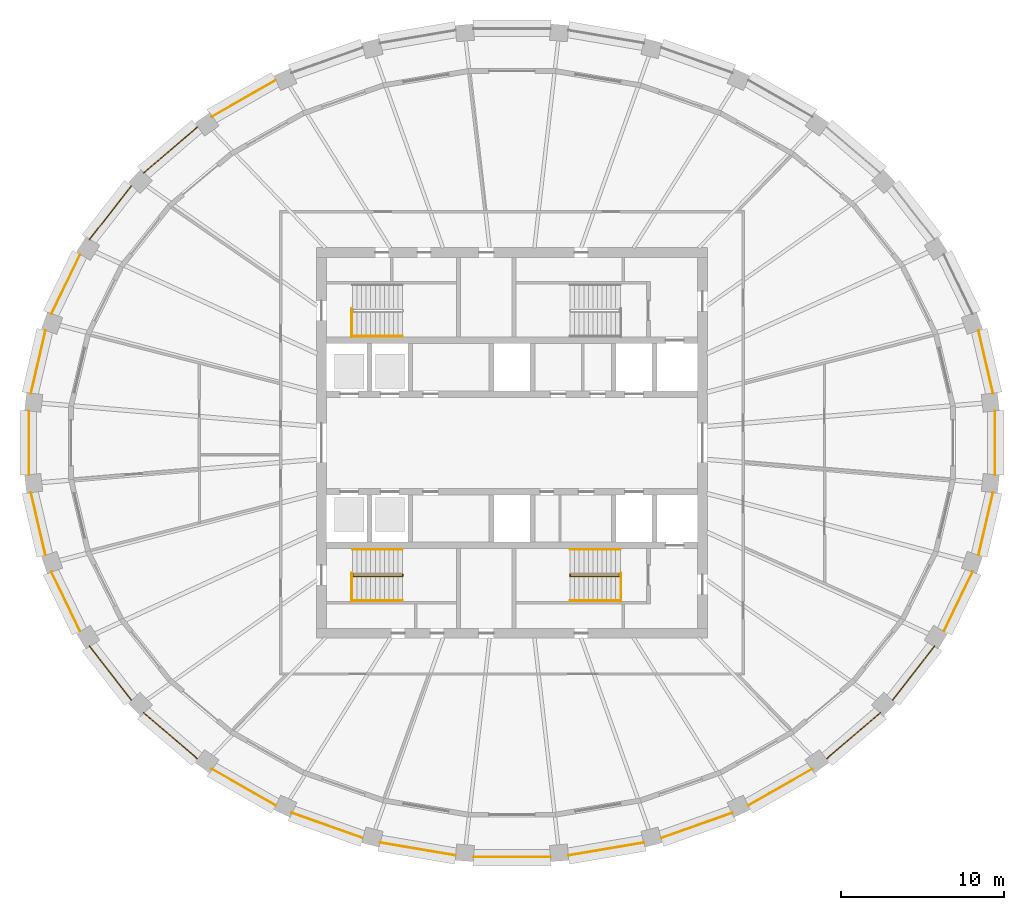
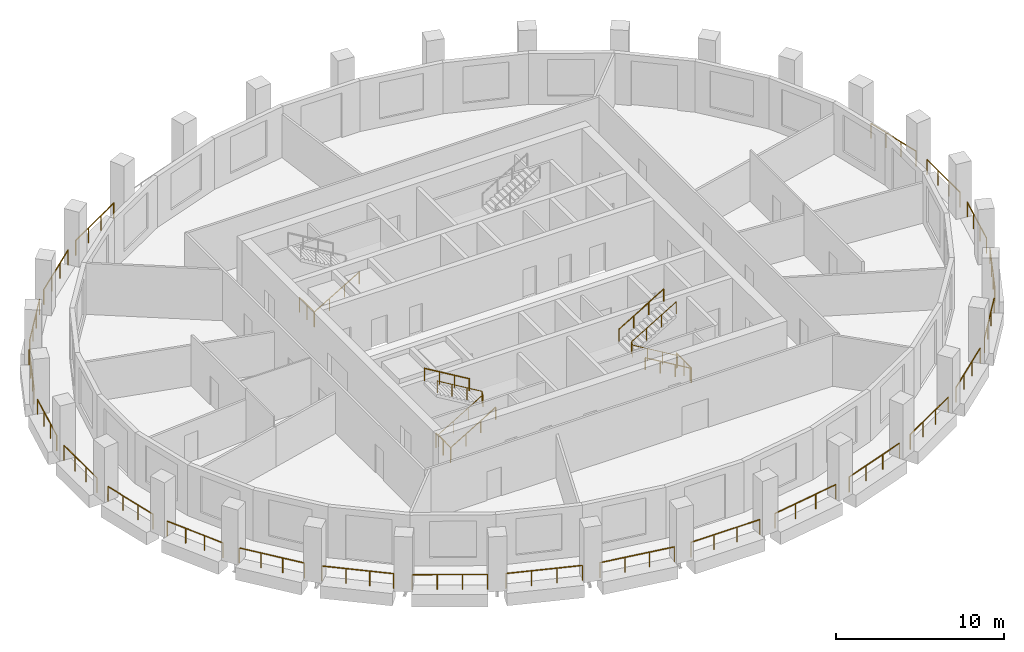
# One storey, part 8 of 10: 33 railings.
"""IFC4 building model written with IfcOpenShell, lengths in metres."""

from ifc_helpers import new_model, si_unit, direction, frame, origin, origin_2d, place, context, subcontext, project, spatial, circle, extrude, material, type_object, element, save


model = new_model("IFC4")

# Units and contexts
model_context = context("Model", 3, precision=1e-05, world=origin(), true_north=direction((0.0, 1.0)))
body_context = subcontext(model_context, "Body", "Model", "MODEL_VIEW")
ifc_project = project(units=[si_unit("LENGTHUNIT", "METRE"), si_unit("AREAUNIT", "SQUARE_METRE"), si_unit("VOLUMEUNIT", "CUBIC_METRE"), si_unit("PLANEANGLEUNIT", "RADIAN"), si_unit("MASSUNIT", "GRAM", prefix="KILO")], contexts=[model_context])

# Site, building, storey
site_placement = place(None, origin())
site = spatial("IfcSite", under=ifc_project, at=site_placement, CompositionType="ELEMENT")
building_placement = place(site_placement, origin())
building = spatial("IfcBuilding", under=site, at=building_placement, Name="Halqa Exchange Tower", CompositionType="ELEMENT")
storey_placement = place(building_placement, frame((0.0, 0.0, 276.300048828125)))
storey = spatial("IfcBuildingStorey", under=building, at=storey_placement, Name="L64", CompositionType="ELEMENT", Elevation=276.300048828125)

# Railings
ifc_material = material(Name="Stainless steel", Category="steel")
railing_type_1 = type_object("IfcRailingType", Name="Guard 1100 stainless steel", PredefinedType="GUARDRAIL", material=ifc_material)
railing_1_placement = place(storey_placement, frame((29.553466796875, 3.041259765625, 0.0)))
element("IfcRailing", 1, at=railing_1_placement, inside=storey, type_object=railing_type_1, Name="Loggia guard 1", PredefinedType="GUARDRAIL", context=body_context, shape_type="SweptSolid", body=[
    extrude(circle(Radius=0.02392578125, at=origin_2d()), frame((0.0, 0.0, 1.076171875), z_axis=(-0.226061550198, 0.974113019892, 0.0), x_axis=(-0.974113019892, -0.226061550198, 0.0)), (0.0, 0.0, 1.0), 3.945068359375),
    extrude(circle(Radius=0.02099609375, at=origin_2d()), origin(), (0.0, 0.0, 1.0), 1.052001953125),
    extrude(circle(Radius=0.02099609375, at=origin_2d()), frame((-0.29736328125, 1.281005859375, 0.0)), (0.0, 0.0, 1.0), 1.052001953125),
    extrude(circle(Radius=0.02099609375, at=origin_2d()), frame((-0.594482421875, 2.56201171875, 0.0)), (0.0, 0.0, 1.0), 1.052001953125),
    extrude(circle(Radius=0.02099609375, at=origin_2d()), frame((-0.891845703125, 3.843017578125, 0.0)), (0.0, 0.0, 1.0), 1.052001953125),
])
railing_2_placement = place(storey_placement, frame((-14.534912109375, 22.26953125, 0.0)))
element("IfcRailing", 2, at=railing_2_placement, inside=storey, type_object=railing_type_1, Name="Loggia guard 11", PredefinedType="GUARDRAIL", context=body_context, shape_type="SweptSolid", body=[
    extrude(circle(Radius=0.02392578125, at=origin_2d()), frame((0.0, 0.0, 1.076171875), z_axis=(-0.867772152033, -0.496962264318, 0.0), x_axis=(0.496962264318, -0.867772152033, 0.0)), (0.0, 0.0, 1.0), 4.50146484375),
    extrude(circle(Radius=0.02099609375, at=origin_2d()), origin(), (0.0, 0.0, 1.0), 1.052001953125),
    extrude(circle(Radius=0.02099609375, at=origin_2d()), frame((-1.302001953125, -0.74560546875, 0.0)), (0.0, 0.0, 1.0), 1.052001953125),
    extrude(circle(Radius=0.02099609375, at=origin_2d()), frame((-2.604248046875, -1.491455078125, 0.0)), (0.0, 0.0, 1.0), 1.052001953125),
    extrude(circle(Radius=0.02099609375, at=origin_2d()), frame((-3.90625, -2.237060546875, 0.0)), (0.0, 0.0, 1.0), 1.052001953125),
])
railing_3_placement = place(storey_placement, frame((-19.336181640625, 19.401123046875, 0.0)))
element("IfcRailing", 3, at=railing_3_placement, inside=storey, type_object=railing_type_1, Name="Loggia guard 12", PredefinedType="GUARDRAIL", context=body_context, shape_type="SweptSolid", body=[
    extrude(circle(Radius=0.02392578125, at=origin_2d()), frame((0.0, 0.0, 1.076171875), z_axis=(-0.759228833475, -0.650823769095, 0.0), x_axis=(0.650823769095, -0.759228833475, 0.0)), (0.0, 0.0, 1.0), 4.34423828125),
    extrude(circle(Radius=0.02099609375, at=origin_2d()), origin(), (0.0, 0.0, 1.0), 1.052001953125),
    extrude(circle(Radius=0.02099609375, at=origin_2d()), frame((-1.099365234375, -0.9423828125, 0.0)), (0.0, 0.0, 1.0), 1.052001953125),
    extrude(circle(Radius=0.02099609375, at=origin_2d()), frame((-2.198974609375, -1.885009765625, 0.0)), (0.0, 0.0, 1.0), 1.052001953125),
    extrude(circle(Radius=0.02099609375, at=origin_2d()), frame((-3.29833984375, -2.827392578125, 0.0)), (0.0, 0.0, 1.0), 1.052001953125),
])
railing_4_placement = place(storey_placement, frame((-23.390380859375, 15.781982421875, 0.0)))
element("IfcRailing", 4, at=railing_4_placement, inside=storey, type_object=railing_type_1, Name="Loggia guard 13", PredefinedType="GUARDRAIL", context=body_context, shape_type="SweptSolid", body=[
    extrude(circle(Radius=0.02392578125, at=origin_2d()), frame((0.0, 0.0, 1.076171875), z_axis=(-0.614829270223, -0.788660236399, 0.0), x_axis=(0.788660236399, -0.614829270223, 0.0)), (0.0, 0.0, 1.0), 4.1826171875),
    extrude(circle(Radius=0.02099609375, at=origin_2d()), origin(), (0.0, 0.0, 1.0), 1.052001953125),
    extrude(circle(Radius=0.02099609375, at=origin_2d()), frame((-0.857177734375, -1.099609375, 0.0)), (0.0, 0.0, 1.0), 1.052001953125),
    extrude(circle(Radius=0.02099609375, at=origin_2d()), frame((-1.71435546875, -2.198974609375, 0.0)), (0.0, 0.0, 1.0), 1.052001953125),
    extrude(circle(Radius=0.02099609375, at=origin_2d()), frame((-2.571533203125, -3.298583984375, 0.0)), (0.0, 0.0, 1.0), 1.052001953125),
])
railing_5_placement = place(storey_placement, frame((-26.539306640625, 11.55419921875, 0.0)))
element("IfcRailing", 5, at=railing_5_placement, inside=storey, type_object=railing_type_1, Name="Loggia guard 14", PredefinedType="GUARDRAIL", context=body_context, shape_type="SweptSolid", body=[
    extrude(circle(Radius=0.02392578125, at=origin_2d()), frame((0.0, 0.0, 1.076171875), z_axis=(-0.435164579971, -0.900350925106, 0.0), x_axis=(0.900350925106, -0.435164579971, 0.0)), (0.0, 0.0, 1.0), 4.041748046875),
    extrude(circle(Radius=0.02099609375, at=origin_2d()), origin(), (0.0, 0.0, 1.0), 1.052001953125),
    extrude(circle(Radius=0.02099609375, at=origin_2d()), frame((-0.586181640625, -1.212890625, 0.0)), (0.0, 0.0, 1.0), 1.052001953125),
    extrude(circle(Radius=0.02099609375, at=origin_2d()), frame((-1.172607421875, -2.426025390625, 0.0)), (0.0, 0.0, 1.0), 1.052001953125),
    extrude(circle(Radius=0.02099609375, at=origin_2d()), frame((-1.7587890625, -3.638916015625, 0.0)), (0.0, 0.0, 1.0), 1.052001953125),
])
railing_6_placement = place(storey_placement, frame((-28.66162109375, 6.88427734375, 0.0)))
element("IfcRailing", 6, at=railing_6_placement, inside=storey, type_object=railing_type_1, Name="Loggia guard 15", PredefinedType="GUARDRAIL", context=body_context, shape_type="SweptSolid", body=[
    extrude(circle(Radius=0.02392578125, at=origin_2d()), frame((0.0, 0.0, 1.076171875), z_axis=(-0.226061550198, -0.974113019892, 0.0), x_axis=(0.974113019892, -0.226061550198, 0.0)), (0.0, 0.0, 1.0), 3.945068359375),
    extrude(circle(Radius=0.02099609375, at=origin_2d()), origin(), (0.0, 0.0, 1.0), 1.052001953125),
    extrude(circle(Radius=0.02099609375, at=origin_2d()), frame((-0.29736328125, -1.281005859375, 0.0)), (0.0, 0.0, 1.0), 1.052001953125),
    extrude(circle(Radius=0.02099609375, at=origin_2d()), frame((-0.594482421875, -2.56201171875, 0.0)), (0.0, 0.0, 1.0), 1.052001953125),
    extrude(circle(Radius=0.02099609375, at=origin_2d()), frame((-0.891845703125, -3.843017578125, 0.0)), (0.0, 0.0, 1.0), 1.052001953125),
])
railing_7_placement = place(storey_placement, frame((-29.677734375, 1.955322265625, 0.0)))
element("IfcRailing", 7, at=railing_7_placement, inside=storey, type_object=railing_type_1, Name="Loggia guard 16", PredefinedType="GUARDRAIL", context=body_context, shape_type="SweptSolid", body=[
    extrude(circle(Radius=0.02392578125, at=origin_2d()), frame((0.0, 0.0, 1.076171875), z_axis=(0.0, -1.0, 0.0), x_axis=(1.0, 0.0, 0.0)), (0.0, 0.0, 1.0), 3.91064453125),
    extrude(circle(Radius=0.02099609375, at=origin_2d()), origin(), (0.0, 0.0, 1.0), 1.052001953125),
    extrude(circle(Radius=0.02099609375, at=origin_2d()), frame((0.0, -1.303466796875, 0.0)), (0.0, 0.0, 1.0), 1.052001953125),
    extrude(circle(Radius=0.02099609375, at=origin_2d()), frame((0.0, -2.607177734375, 0.0)), (0.0, 0.0, 1.0), 1.052001953125),
    extrude(circle(Radius=0.02099609375, at=origin_2d()), frame((0.0, -3.91064453125, 0.0)), (0.0, 0.0, 1.0), 1.052001953125),
])
railing_8_placement = place(storey_placement, frame((-29.553466796875, -3.041259765625, 0.0)))
element("IfcRailing", 8, at=railing_8_placement, inside=storey, type_object=railing_type_1, Name="Loggia guard 17", PredefinedType="GUARDRAIL", context=body_context, shape_type="SweptSolid", body=[
    extrude(circle(Radius=0.02392578125, at=origin_2d()), frame((0.0, 0.0, 1.076171875), z_axis=(0.226061550198, -0.974113019892, 0.0), x_axis=(0.974113019892, 0.226061550198, 0.0)), (0.0, 0.0, 1.0), 3.945068359375),
    extrude(circle(Radius=0.02099609375, at=origin_2d()), origin(), (0.0, 0.0, 1.0), 1.052001953125),
    extrude(circle(Radius=0.02099609375, at=origin_2d()), frame((0.29736328125, -1.281005859375, 0.0)), (0.0, 0.0, 1.0), 1.052001953125),
    extrude(circle(Radius=0.02099609375, at=origin_2d()), frame((0.594482421875, -2.56201171875, 0.0)), (0.0, 0.0, 1.0), 1.052001953125),
    extrude(circle(Radius=0.02099609375, at=origin_2d()), frame((0.891845703125, -3.843017578125, 0.0)), (0.0, 0.0, 1.0), 1.052001953125),
])
railing_9_placement = place(storey_placement, frame((-28.298095703125, -7.915283203125, 0.0)))
element("IfcRailing", 9, at=railing_9_placement, inside=storey, type_object=railing_type_1, Name="Loggia guard 18", PredefinedType="GUARDRAIL", context=body_context, shape_type="SweptSolid", body=[
    extrude(circle(Radius=0.02392578125, at=origin_2d()), frame((0.0, 0.0, 1.076171875), z_axis=(0.435164579971, -0.900350925106, 0.0), x_axis=(0.900350925106, 0.435164579971, 0.0)), (0.0, 0.0, 1.0), 4.041748046875),
    extrude(circle(Radius=0.02099609375, at=origin_2d()), origin(), (0.0, 0.0, 1.0), 1.052001953125),
    extrude(circle(Radius=0.02099609375, at=origin_2d()), frame((0.586181640625, -1.212890625, 0.0)), (0.0, 0.0, 1.0), 1.052001953125),
    extrude(circle(Radius=0.02099609375, at=origin_2d()), frame((1.172607421875, -2.426025390625, 0.0)), (0.0, 0.0, 1.0), 1.052001953125),
    extrude(circle(Radius=0.02099609375, at=origin_2d()), frame((1.7587890625, -3.638916015625, 0.0)), (0.0, 0.0, 1.0), 1.052001953125),
])
railing_10_placement = place(storey_placement, frame((-25.9619140625, -12.4833984375, 0.0)))
element("IfcRailing", 10, at=railing_10_placement, inside=storey, type_object=railing_type_1, Name="Loggia guard 19", PredefinedType="GUARDRAIL", context=body_context, shape_type="SweptSolid", body=[
    extrude(circle(Radius=0.02392578125, at=origin_2d()), frame((0.0, 0.0, 1.076171875), z_axis=(0.614829270223, -0.788660236399, 0.0), x_axis=(0.788660236399, 0.614829270223, 0.0)), (0.0, 0.0, 1.0), 4.1826171875),
    extrude(circle(Radius=0.02099609375, at=origin_2d()), origin(), (0.0, 0.0, 1.0), 1.052001953125),
    extrude(circle(Radius=0.02099609375, at=origin_2d()), frame((0.857177734375, -1.099609375, 0.0)), (0.0, 0.0, 1.0), 1.052001953125),
    extrude(circle(Radius=0.02099609375, at=origin_2d()), frame((1.71435546875, -2.198974609375, 0.0)), (0.0, 0.0, 1.0), 1.052001953125),
    extrude(circle(Radius=0.02099609375, at=origin_2d()), frame((2.571533203125, -3.298583984375, 0.0)), (0.0, 0.0, 1.0), 1.052001953125),
])
railing_11_placement = place(storey_placement, frame((-22.634521484375, -16.57373046875, 0.0)))
element("IfcRailing", 11, at=railing_11_placement, inside=storey, type_object=railing_type_1, Name="Loggia guard 20", PredefinedType="GUARDRAIL", context=body_context, shape_type="SweptSolid", body=[
    extrude(circle(Radius=0.02392578125, at=origin_2d()), frame((0.0, 0.0, 1.076171875), z_axis=(0.759228833475, -0.650823769095, 0.0), x_axis=(0.650823769095, 0.759228833475, 0.0)), (0.0, 0.0, 1.0), 4.34423828125),
    extrude(circle(Radius=0.02099609375, at=origin_2d()), origin(), (0.0, 0.0, 1.0), 1.052001953125),
    extrude(circle(Radius=0.02099609375, at=origin_2d()), frame((1.099365234375, -0.9423828125, 0.0)), (0.0, 0.0, 1.0), 1.052001953125),
    extrude(circle(Radius=0.02099609375, at=origin_2d()), frame((2.198974609375, -1.885009765625, 0.0)), (0.0, 0.0, 1.0), 1.052001953125),
    extrude(circle(Radius=0.02099609375, at=origin_2d()), frame((3.29833984375, -2.827392578125, 0.0)), (0.0, 0.0, 1.0), 1.052001953125),
])
railing_12_placement = place(storey_placement, frame((-18.441162109375, -20.032470703125, 0.0)))
element("IfcRailing", 12, at=railing_12_placement, inside=storey, type_object=railing_type_1, Name="Loggia guard 21", PredefinedType="GUARDRAIL", context=body_context, shape_type="SweptSolid", body=[
    extrude(circle(Radius=0.02392578125, at=origin_2d()), frame((0.0, 0.0, 1.076171875), z_axis=(0.867772152033, -0.496962264318, 0.0), x_axis=(0.496962264318, 0.867772152033, 0.0)), (0.0, 0.0, 1.0), 4.50146484375),
    extrude(circle(Radius=0.02099609375, at=origin_2d()), origin(), (0.0, 0.0, 1.0), 1.052001953125),
    extrude(circle(Radius=0.02099609375, at=origin_2d()), frame((1.302001953125, -0.74560546875, 0.0)), (0.0, 0.0, 1.0), 1.052001953125),
    extrude(circle(Radius=0.02099609375, at=origin_2d()), frame((2.604248046875, -1.491455078125, 0.0)), (0.0, 0.0, 1.0), 1.052001953125),
    extrude(circle(Radius=0.02099609375, at=origin_2d()), frame((3.90625, -2.237060546875, 0.0)), (0.0, 0.0, 1.0), 1.052001953125),
])
railing_13_placement = place(storey_placement, frame((-13.539306640625, -22.72705078125, 0.0)))
element("IfcRailing", 13, at=railing_13_placement, inside=storey, type_object=railing_type_1, Name="Loggia guard 22", PredefinedType="GUARDRAIL", context=body_context, shape_type="SweptSolid", body=[
    extrude(circle(Radius=0.02392578125, at=origin_2d()), frame((0.0, 0.0, 1.076171875), z_axis=(0.942368780764, -0.334575972004, 0.0), x_axis=(0.334575972004, 0.942368780764, 0.0)), (0.0, 0.0, 1.0), 4.63134765625),
    extrude(circle(Radius=0.02099609375, at=origin_2d()), origin(), (0.0, 0.0, 1.0), 1.052001953125),
    extrude(circle(Radius=0.02099609375, at=origin_2d()), frame((1.454833984375, -0.5166015625, 0.0)), (0.0, 0.0, 1.0), 1.052001953125),
    extrude(circle(Radius=0.02099609375, at=origin_2d()), frame((2.90966796875, -1.032958984375, 0.0)), (0.0, 0.0, 1.0), 1.052001953125),
    extrude(circle(Radius=0.02099609375, at=origin_2d()), frame((4.364501953125, -1.549560546875, 0.0)), (0.0, 0.0, 1.0), 1.052001953125),
])
railing_14_placement = place(storey_placement, frame((-8.114501953125, -24.552978515625, 0.0)))
element("IfcRailing", 14, at=railing_14_placement, inside=storey, type_object=railing_type_1, Name="Loggia guard 23", PredefinedType="GUARDRAIL", context=body_context, shape_type="SweptSolid", body=[
    extrude(circle(Radius=0.02392578125, at=origin_2d()), frame((0.0, 0.0, 1.076171875), z_axis=(0.985774310158, -0.168074416356, 0.0), x_axis=(0.168074416356, 0.985774310158, 0.0)), (0.0, 0.0, 1.0), 4.716552734375),
    extrude(circle(Radius=0.02099609375, at=origin_2d()), origin(), (0.0, 0.0, 1.0), 1.052001953125),
    extrude(circle(Radius=0.02099609375, at=origin_2d()), frame((1.5498046875, -0.26416015625, 0.0)), (0.0, 0.0, 1.0), 1.052001953125),
    extrude(circle(Radius=0.02099609375, at=origin_2d()), frame((3.099609375, -0.528564453125, 0.0)), (0.0, 0.0, 1.0), 1.052001953125),
    extrude(circle(Radius=0.02099609375, at=origin_2d()), frame((4.6494140625, -0.792724609375, 0.0)), (0.0, 0.0, 1.0), 1.052001953125),
])
railing_15_placement = place(storey_placement, frame((-2.373046875, -25.43798828125, 0.0)))
element("IfcRailing", 15, at=railing_15_placement, inside=storey, type_object=railing_type_1, Name="Loggia guard 24", PredefinedType="GUARDRAIL", context=body_context, shape_type="SweptSolid", body=[
    extrude(circle(Radius=0.02392578125, at=origin_2d()), frame((0.0, 0.0, 1.076171875), z_axis=(1.0, 0.0, 0.0), x_axis=(0.0, 1.0, 0.0)), (0.0, 0.0, 1.0), 4.74609375),
    extrude(circle(Radius=0.02099609375, at=origin_2d()), origin(), (0.0, 0.0, 1.0), 1.052001953125),
    extrude(circle(Radius=0.02099609375, at=origin_2d()), frame((1.58203125, 0.0, 0.0)), (0.0, 0.0, 1.0), 1.052001953125),
    extrude(circle(Radius=0.02099609375, at=origin_2d()), frame((3.1640625, 0.0, 0.0)), (0.0, 0.0, 1.0), 1.052001953125),
    extrude(circle(Radius=0.02099609375, at=origin_2d()), frame((4.74609375, 0.0, 0.0)), (0.0, 0.0, 1.0), 1.052001953125),
])
railing_16_placement = place(storey_placement, frame((3.465087890625, -25.345703125, 0.0)))
element("IfcRailing", 16, at=railing_16_placement, inside=storey, type_object=railing_type_1, Name="Loggia guard 25", PredefinedType="GUARDRAIL", context=body_context, shape_type="SweptSolid", body=[
    extrude(circle(Radius=0.02392578125, at=origin_2d()), frame((0.0, 0.0, 1.076171875), z_axis=(0.985774310158, 0.168074416356, 0.0), x_axis=(-0.168074416356, 0.985774310158, 0.0)), (0.0, 0.0, 1.0), 4.716552734375),
    extrude(circle(Radius=0.02099609375, at=origin_2d()), origin(), (0.0, 0.0, 1.0), 1.052001953125),
    extrude(circle(Radius=0.02099609375, at=origin_2d()), frame((1.5498046875, 0.26416015625, 0.0)), (0.0, 0.0, 1.0), 1.052001953125),
    extrude(circle(Radius=0.02099609375, at=origin_2d()), frame((3.099609375, 0.528564453125, 0.0)), (0.0, 0.0, 1.0), 1.052001953125),
    extrude(circle(Radius=0.02099609375, at=origin_2d()), frame((4.6494140625, 0.792724609375, 0.0)), (0.0, 0.0, 1.0), 1.052001953125),
])
railing_17_placement = place(storey_placement, frame((9.1748046875, -24.276611328125, 0.0)))
element("IfcRailing", 17, at=railing_17_placement, inside=storey, type_object=railing_type_1, Name="Loggia guard 26", PredefinedType="GUARDRAIL", context=body_context, shape_type="SweptSolid", body=[
    extrude(circle(Radius=0.02392578125, at=origin_2d()), frame((0.0, 0.0, 1.076171875), z_axis=(0.942368780764, 0.334575972004, 0.0), x_axis=(-0.334575972004, 0.942368780764, 0.0)), (0.0, 0.0, 1.0), 4.63134765625),
    extrude(circle(Radius=0.02099609375, at=origin_2d()), origin(), (0.0, 0.0, 1.0), 1.052001953125),
    extrude(circle(Radius=0.02099609375, at=origin_2d()), frame((1.454833984375, 0.5166015625, 0.0)), (0.0, 0.0, 1.0), 1.052001953125),
    extrude(circle(Radius=0.02099609375, at=origin_2d()), frame((2.90966796875, 1.032958984375, 0.0)), (0.0, 0.0, 1.0), 1.052001953125),
    extrude(circle(Radius=0.02099609375, at=origin_2d()), frame((4.364501953125, 1.549560546875, 0.0)), (0.0, 0.0, 1.0), 1.052001953125),
])
railing_18_placement = place(storey_placement, frame((14.534912109375, -22.26953125, 0.0)))
element("IfcRailing", 18, at=railing_18_placement, inside=storey, type_object=railing_type_1, Name="Loggia guard 27", PredefinedType="GUARDRAIL", context=body_context, shape_type="SweptSolid", body=[
    extrude(circle(Radius=0.02392578125, at=origin_2d()), frame((0.0, 0.0, 1.076171875), z_axis=(0.867772152033, 0.496962264318, 0.0), x_axis=(-0.496962264318, 0.867772152033, 0.0)), (0.0, 0.0, 1.0), 4.50146484375),
    extrude(circle(Radius=0.02099609375, at=origin_2d()), origin(), (0.0, 0.0, 1.0), 1.052001953125),
    extrude(circle(Radius=0.02099609375, at=origin_2d()), frame((1.302001953125, 0.74560546875, 0.0)), (0.0, 0.0, 1.0), 1.052001953125),
    extrude(circle(Radius=0.02099609375, at=origin_2d()), frame((2.604248046875, 1.491455078125, 0.0)), (0.0, 0.0, 1.0), 1.052001953125),
    extrude(circle(Radius=0.02099609375, at=origin_2d()), frame((3.90625, 2.237060546875, 0.0)), (0.0, 0.0, 1.0), 1.052001953125),
])
railing_19_placement = place(storey_placement, frame((19.336181640625, -19.401123046875, 0.0)))
element("IfcRailing", 19, at=railing_19_placement, inside=storey, type_object=railing_type_1, Name="Loggia guard 28", PredefinedType="GUARDRAIL", context=body_context, shape_type="SweptSolid", body=[
    extrude(circle(Radius=0.02392578125, at=origin_2d()), frame((0.0, 0.0, 1.076171875), z_axis=(0.759228833475, 0.650823769095, 0.0), x_axis=(-0.650823769095, 0.759228833475, 0.0)), (0.0, 0.0, 1.0), 4.34423828125),
    extrude(circle(Radius=0.02099609375, at=origin_2d()), origin(), (0.0, 0.0, 1.0), 1.052001953125),
    extrude(circle(Radius=0.02099609375, at=origin_2d()), frame((1.099365234375, 0.9423828125, 0.0)), (0.0, 0.0, 1.0), 1.052001953125),
    extrude(circle(Radius=0.02099609375, at=origin_2d()), frame((2.198974609375, 1.885009765625, 0.0)), (0.0, 0.0, 1.0), 1.052001953125),
    extrude(circle(Radius=0.02099609375, at=origin_2d()), frame((3.29833984375, 2.827392578125, 0.0)), (0.0, 0.0, 1.0), 1.052001953125),
])
railing_20_placement = place(storey_placement, frame((23.390380859375, -15.781982421875, 0.0)))
element("IfcRailing", 20, at=railing_20_placement, inside=storey, type_object=railing_type_1, Name="Loggia guard 29", PredefinedType="GUARDRAIL", context=body_context, shape_type="SweptSolid", body=[
    extrude(circle(Radius=0.02392578125, at=origin_2d()), frame((0.0, 0.0, 1.076171875), z_axis=(0.614829270223, 0.788660236399, 0.0), x_axis=(-0.788660236399, 0.614829270223, 0.0)), (0.0, 0.0, 1.0), 4.1826171875),
    extrude(circle(Radius=0.02099609375, at=origin_2d()), origin(), (0.0, 0.0, 1.0), 1.052001953125),
    extrude(circle(Radius=0.02099609375, at=origin_2d()), frame((0.857177734375, 1.099609375, 0.0)), (0.0, 0.0, 1.0), 1.052001953125),
    extrude(circle(Radius=0.02099609375, at=origin_2d()), frame((1.71435546875, 2.198974609375, 0.0)), (0.0, 0.0, 1.0), 1.052001953125),
    extrude(circle(Radius=0.02099609375, at=origin_2d()), frame((2.571533203125, 3.298583984375, 0.0)), (0.0, 0.0, 1.0), 1.052001953125),
])
railing_21_placement = place(storey_placement, frame((26.539306640625, -11.55419921875, 0.0)))
element("IfcRailing", 21, at=railing_21_placement, inside=storey, type_object=railing_type_1, Name="Loggia guard 30", PredefinedType="GUARDRAIL", context=body_context, shape_type="SweptSolid", body=[
    extrude(circle(Radius=0.02392578125, at=origin_2d()), frame((0.0, 0.0, 1.076171875), z_axis=(0.435164579971, 0.900350925106, 0.0), x_axis=(-0.900350925106, 0.435164579971, 0.0)), (0.0, 0.0, 1.0), 4.041748046875),
    extrude(circle(Radius=0.02099609375, at=origin_2d()), origin(), (0.0, 0.0, 1.0), 1.052001953125),
    extrude(circle(Radius=0.02099609375, at=origin_2d()), frame((0.586181640625, 1.212890625, 0.0)), (0.0, 0.0, 1.0), 1.052001953125),
    extrude(circle(Radius=0.02099609375, at=origin_2d()), frame((1.172607421875, 2.426025390625, 0.0)), (0.0, 0.0, 1.0), 1.052001953125),
    extrude(circle(Radius=0.02099609375, at=origin_2d()), frame((1.7587890625, 3.638916015625, 0.0)), (0.0, 0.0, 1.0), 1.052001953125),
])
railing_22_placement = place(storey_placement, frame((28.66162109375, -6.88427734375, 0.0)))
element("IfcRailing", 22, at=railing_22_placement, inside=storey, type_object=railing_type_1, Name="Loggia guard 31", PredefinedType="GUARDRAIL", context=body_context, shape_type="SweptSolid", body=[
    extrude(circle(Radius=0.02392578125, at=origin_2d()), frame((0.0, 0.0, 1.076171875), z_axis=(0.226061550198, 0.974113019892, 0.0), x_axis=(-0.974113019892, 0.226061550198, 0.0)), (0.0, 0.0, 1.0), 3.945068359375),
    extrude(circle(Radius=0.02099609375, at=origin_2d()), origin(), (0.0, 0.0, 1.0), 1.052001953125),
    extrude(circle(Radius=0.02099609375, at=origin_2d()), frame((0.29736328125, 1.281005859375, 0.0)), (0.0, 0.0, 1.0), 1.052001953125),
    extrude(circle(Radius=0.02099609375, at=origin_2d()), frame((0.594482421875, 2.56201171875, 0.0)), (0.0, 0.0, 1.0), 1.052001953125),
    extrude(circle(Radius=0.02099609375, at=origin_2d()), frame((0.891845703125, 3.843017578125, 0.0)), (0.0, 0.0, 1.0), 1.052001953125),
])
railing_23_placement = place(storey_placement, frame((29.677734375, -1.955322265625, 0.0)))
element("IfcRailing", 23, at=railing_23_placement, inside=storey, type_object=railing_type_1, Name="Loggia guard 32", PredefinedType="GUARDRAIL", context=body_context, shape_type="SweptSolid", body=[
    extrude(circle(Radius=0.02392578125, at=origin_2d()), frame((0.0, 0.0, 1.076171875), z_axis=(0.0, 1.0, 0.0), x_axis=(-1.0, 0.0, 0.0)), (0.0, 0.0, 1.0), 3.91064453125),
    extrude(circle(Radius=0.02099609375, at=origin_2d()), origin(), (0.0, 0.0, 1.0), 1.052001953125),
    extrude(circle(Radius=0.02099609375, at=origin_2d()), frame((0.0, 1.303466796875, 0.0)), (0.0, 0.0, 1.0), 1.052001953125),
    extrude(circle(Radius=0.02099609375, at=origin_2d()), frame((0.0, 2.607177734375, 0.0)), (0.0, 0.0, 1.0), 1.052001953125),
    extrude(circle(Radius=0.02099609375, at=origin_2d()), frame((0.0, 3.91064453125, 0.0)), (0.0, 0.0, 1.0), 1.052001953125),
])
railing_type_2 = type_object("IfcRailingType", Name="Stair handrail 900", PredefinedType="HANDRAIL", material=ifc_material)
railing_24_placement = place(storey_placement, frame((-9.800048828125, 6.550048828125, 0.166748046875)))
element("IfcRailing", 24, at=railing_24_placement, inside=storey, type_object=railing_type_2, Name="Handrail ST1.2", PredefinedType="HANDRAIL", context=body_context, shape_type="SweptSolid", body=[
    extrude(circle(Radius=0.02392578125, at=origin_2d()), frame((0.0, 0.0, 0.8759765625), z_axis=(0.859308565015, 0.0, 0.511457515432), x_axis=(0.0, 1.0, 0.0)), (0.0, 0.0, 1.0), 3.58447265625),
    extrude(circle(Radius=0.02099609375, at=origin_2d()), origin(), (0.0, 0.0, 1.0), 0.851806640625),
    extrude(circle(Radius=0.02099609375, at=origin_2d()), frame((1.026611328125, 0.0, 0.611083984375)), (0.0, 0.0, 1.0), 0.851806640625),
    extrude(circle(Radius=0.02099609375, at=origin_2d()), frame((2.053466796875, 0.0, 1.22216796875)), (0.0, 0.0, 1.0), 0.851806640625),
    extrude(circle(Radius=0.02099609375, at=origin_2d()), frame((3.080078125, 0.0, 1.833251953125)), (0.0, 0.0, 1.0), 0.851806640625),
])
railing_25_placement = place(storey_placement, frame((-9.800048828125, -8.18994140625, 0.166748046875)))
element("IfcRailing", 25, at=railing_25_placement, inside=storey, type_object=railing_type_2, Name="Handrail ST3.1", PredefinedType="HANDRAIL", context=body_context, shape_type="SweptSolid", body=[
    extrude(circle(Radius=0.02392578125, at=origin_2d()), frame((0.0, 0.0, 0.8759765625), z_axis=(0.859308565015, 0.0, 0.511457515432), x_axis=(0.0, 1.0, 0.0)), (0.0, 0.0, 1.0), 3.58447265625),
    extrude(circle(Radius=0.02392578125, at=origin_2d()), frame((3.080078125, 0.0, 2.708984375), z_axis=(0.0, 0.614500226555, 0.788916644243), x_axis=(-1.0, 0.0, 0.0)), (0.0, 0.0, 1.0), 0.21142578125),
    extrude(circle(Radius=0.02392578125, at=origin_2d()), frame((3.080078125, 0.1298828125, 2.8759765625), z_axis=(-0.859308565015, 0.0, 0.511457515432), x_axis=(0.0, -1.0, 0.0)), (0.0, 0.0, 1.0), 3.58447265625),
    extrude(circle(Radius=0.02099609375, at=origin_2d()), origin(), (0.0, 0.0, 1.0), 0.851806640625),
    extrude(circle(Radius=0.02099609375, at=origin_2d()), frame((1.026611328125, 0.0, 0.611083984375)), (0.0, 0.0, 1.0), 0.851806640625),
    extrude(circle(Radius=0.02099609375, at=origin_2d()), frame((2.053466796875, 0.0, 1.22216796875)), (0.0, 0.0, 1.0), 0.851806640625),
    extrude(circle(Radius=0.02099609375, at=origin_2d()), frame((3.080078125, 0.0, 1.833251953125)), (0.0, 0.0, 1.0), 0.851806640625),
    extrude(circle(Radius=0.02099609375, at=origin_2d()), frame((3.080078125, 0.1298828125, 2.0)), (0.0, 0.0, 1.0), 0.851806640625),
    extrude(circle(Radius=0.02099609375, at=origin_2d()), frame((2.053466796875, 0.1298828125, 2.611083984375)), (0.0, 0.0, 1.0), 0.851806640625),
    extrude(circle(Radius=0.02099609375, at=origin_2d()), frame((1.026611328125, 0.1298828125, 3.22216796875)), (0.0, 0.0, 1.0), 0.851806640625),
    extrude(circle(Radius=0.02099609375, at=origin_2d()), frame((0.0, 0.1298828125, 3.833251953125)), (0.0, 0.0, 1.0), 0.851806640625),
])
railing_26_placement = place(storey_placement, frame((-9.800048828125, -9.699951171875, 0.166748046875)))
element("IfcRailing", 26, at=railing_26_placement, inside=storey, type_object=railing_type_2, Name="Handrail ST3.2", PredefinedType="HANDRAIL", context=body_context, shape_type="SweptSolid", body=[
    extrude(circle(Radius=0.02392578125, at=origin_2d()), frame((0.0, 0.0, 0.8759765625), z_axis=(0.859308565015, 0.0, 0.511457515432), x_axis=(0.0, 1.0, 0.0)), (0.0, 0.0, 1.0), 3.58447265625),
    extrude(circle(Radius=0.02099609375, at=origin_2d()), origin(), (0.0, 0.0, 1.0), 0.851806640625),
    extrude(circle(Radius=0.02099609375, at=origin_2d()), frame((1.026611328125, 0.0, 0.611083984375)), (0.0, 0.0, 1.0), 0.851806640625),
    extrude(circle(Radius=0.02099609375, at=origin_2d()), frame((2.053466796875, 0.0, 1.22216796875)), (0.0, 0.0, 1.0), 0.851806640625),
    extrude(circle(Radius=0.02099609375, at=origin_2d()), frame((3.080078125, 0.0, 1.833251953125)), (0.0, 0.0, 1.0), 0.851806640625),
])
railing_27_placement = place(storey_placement, frame((-6.719970703125, -6.550048828125, 2.166748046875)))
element("IfcRailing", 27, at=railing_27_placement, inside=storey, type_object=railing_type_2, Name="Handrail ST3.3", PredefinedType="HANDRAIL", context=body_context, shape_type="SweptSolid", body=[
    extrude(circle(Radius=0.02392578125, at=origin_2d()), frame((0.0, 0.0, 0.8759765625), z_axis=(-0.859308565015, 0.0, 0.511457515432), x_axis=(0.0, -1.0, 0.0)), (0.0, 0.0, 1.0), 3.58447265625),
    extrude(circle(Radius=0.02099609375, at=origin_2d()), origin(), (0.0, 0.0, 1.0), 0.851806640625),
    extrude(circle(Radius=0.02099609375, at=origin_2d()), frame((-1.026611328125, 0.0, 0.611083984375)), (0.0, 0.0, 1.0), 0.851806640625),
    extrude(circle(Radius=0.02099609375, at=origin_2d()), frame((-2.053466796875, 0.0, 1.22216796875)), (0.0, 0.0, 1.0), 0.851806640625),
    extrude(circle(Radius=0.02099609375, at=origin_2d()), frame((-3.080078125, 0.0, 1.833251953125)), (0.0, 0.0, 1.0), 0.851806640625),
])
railing_28_placement = place(storey_placement, frame((6.64990234375, -8.18994140625, 0.166748046875)))
element("IfcRailing", 28, at=railing_28_placement, inside=storey, type_object=railing_type_2, Name="Handrail ST4.1", PredefinedType="HANDRAIL", context=body_context, shape_type="SweptSolid", body=[
    extrude(circle(Radius=0.02392578125, at=origin_2d()), frame((0.0, 0.0, 0.8759765625), z_axis=(-0.859290745958, 0.0, 0.51148745235), x_axis=(0.0, -1.0, 0.0)), (0.0, 0.0, 1.0), 3.584228515625),
    extrude(circle(Radius=0.02392578125, at=origin_2d()), frame((-3.079833984375, 0.0, 2.708984375), z_axis=(0.0, 0.614500226555, 0.788916644243), x_axis=(-1.0, 0.0, 0.0)), (0.0, 0.0, 1.0), 0.21142578125),
    extrude(circle(Radius=0.02392578125, at=origin_2d()), frame((-3.079833984375, 0.1298828125, 2.8759765625), z_axis=(0.859290745958, 0.0, 0.51148745235), x_axis=(0.0, 1.0, 0.0)), (0.0, 0.0, 1.0), 3.584228515625),
    extrude(circle(Radius=0.02099609375, at=origin_2d()), origin(), (0.0, 0.0, 1.0), 0.851806640625),
    extrude(circle(Radius=0.02099609375, at=origin_2d()), frame((-1.026611328125, 0.0, 0.611083984375)), (0.0, 0.0, 1.0), 0.851806640625),
    extrude(circle(Radius=0.02099609375, at=origin_2d()), frame((-2.05322265625, 0.0, 1.22216796875)), (0.0, 0.0, 1.0), 0.851806640625),
    extrude(circle(Radius=0.02099609375, at=origin_2d()), frame((-3.079833984375, 0.0, 1.833251953125)), (0.0, 0.0, 1.0), 0.851806640625),
    extrude(circle(Radius=0.02099609375, at=origin_2d()), frame((-3.079833984375, 0.1298828125, 2.0)), (0.0, 0.0, 1.0), 0.851806640625),
    extrude(circle(Radius=0.02099609375, at=origin_2d()), frame((-2.05322265625, 0.1298828125, 2.611083984375)), (0.0, 0.0, 1.0), 0.851806640625),
    extrude(circle(Radius=0.02099609375, at=origin_2d()), frame((-1.026611328125, 0.1298828125, 3.22216796875)), (0.0, 0.0, 1.0), 0.851806640625),
    extrude(circle(Radius=0.02099609375, at=origin_2d()), frame((0.0, 0.1298828125, 3.833251953125)), (0.0, 0.0, 1.0), 0.851806640625),
])
railing_29_placement = place(storey_placement, frame((6.64990234375, -9.699951171875, 0.166748046875)))
element("IfcRailing", 29, at=railing_29_placement, inside=storey, type_object=railing_type_2, Name="Handrail ST4.2", PredefinedType="HANDRAIL", context=body_context, shape_type="SweptSolid", body=[
    extrude(circle(Radius=0.02392578125, at=origin_2d()), frame((0.0, 0.0, 0.8759765625), z_axis=(-0.859290745958, 0.0, 0.51148745235), x_axis=(0.0, -1.0, 0.0)), (0.0, 0.0, 1.0), 3.584228515625),
    extrude(circle(Radius=0.02099609375, at=origin_2d()), origin(), (0.0, 0.0, 1.0), 0.851806640625),
    extrude(circle(Radius=0.02099609375, at=origin_2d()), frame((-1.026611328125, 0.0, 0.611083984375)), (0.0, 0.0, 1.0), 0.851806640625),
    extrude(circle(Radius=0.02099609375, at=origin_2d()), frame((-2.05322265625, 0.0, 1.22216796875)), (0.0, 0.0, 1.0), 0.851806640625),
    extrude(circle(Radius=0.02099609375, at=origin_2d()), frame((-3.079833984375, 0.0, 1.833251953125)), (0.0, 0.0, 1.0), 0.851806640625),
])
railing_30_placement = place(storey_placement, frame((3.570068359375, -6.550048828125, 2.166748046875)))
element("IfcRailing", 30, at=railing_30_placement, inside=storey, type_object=railing_type_2, Name="Handrail ST4.3", PredefinedType="HANDRAIL", context=body_context, shape_type="SweptSolid", body=[
    extrude(circle(Radius=0.02392578125, at=origin_2d()), frame((0.0, 0.0, 0.8759765625), z_axis=(0.859290745958, 0.0, 0.51148745235), x_axis=(0.0, 1.0, 0.0)), (0.0, 0.0, 1.0), 3.584228515625),
    extrude(circle(Radius=0.02099609375, at=origin_2d()), origin(), (0.0, 0.0, 1.0), 0.851806640625),
    extrude(circle(Radius=0.02099609375, at=origin_2d()), frame((1.026611328125, 0.0, 0.611083984375)), (0.0, 0.0, 1.0), 0.851806640625),
    extrude(circle(Radius=0.02099609375, at=origin_2d()), frame((2.05322265625, 0.0, 1.22216796875)), (0.0, 0.0, 1.0), 0.851806640625),
    extrude(circle(Radius=0.02099609375, at=origin_2d()), frame((3.079833984375, 0.0, 1.833251953125)), (0.0, 0.0, 1.0), 0.851806640625),
])
railing_type_3 = type_object("IfcRailingType", Name="Stair well guard 1100", PredefinedType="GUARDRAIL", material=ifc_material)
for number, where, name in (
    (31, (-9.85009765625, 6.5, 0.0), "Guard ST1 well"),
    (32, (-9.85009765625, -9.75, 0.0), "Guard ST3 well"),
    (33, (6.699951171875, -9.75, 0.0), "Guard ST4 well"),
):
    element("IfcRailing", number, at=place(storey_placement, frame(where)), inside=storey, type_object=railing_type_3, Name=name, PredefinedType="GUARDRAIL", context=body_context, shape_type="SweptSolid", body=[
        extrude(circle(Radius=0.02392578125, at=origin_2d()), frame((0.0, 0.0, 1.076171875), z_axis=(0.0, 1.0, 0.0), x_axis=(-1.0, 0.0, 0.0)), (0.0, 0.0, 1.0), 1.75),
        extrude(circle(Radius=0.02099609375, at=origin_2d()), origin(), (0.0, 0.0, 1.0), 1.052001953125),
        extrude(circle(Radius=0.02099609375, at=origin_2d()), frame((0.0, 0.875, 0.0)), (0.0, 0.0, 1.0), 1.052001953125),
        extrude(circle(Radius=0.02099609375, at=origin_2d()), frame((0.0, 1.75, 0.0)), (0.0, 0.0, 1.0), 1.052001953125),
    ])

save(model, "model.ifc")
